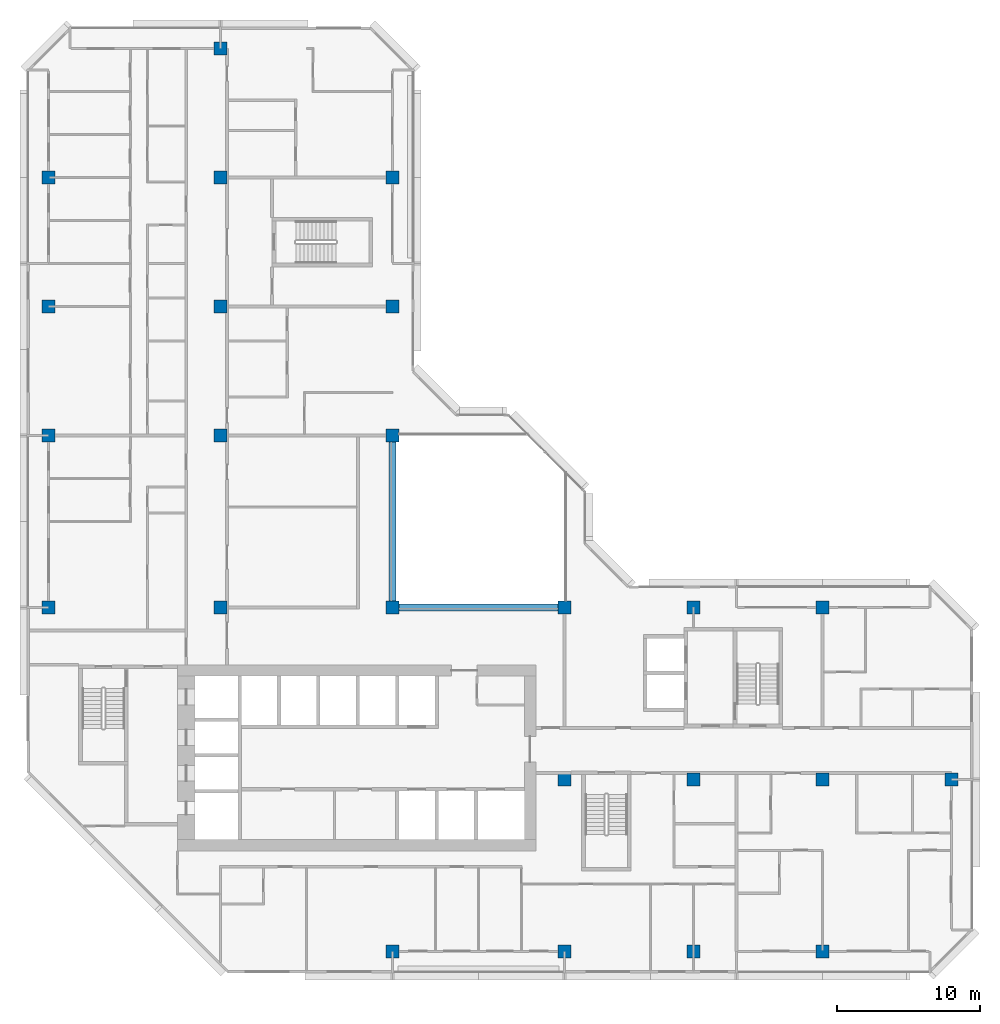
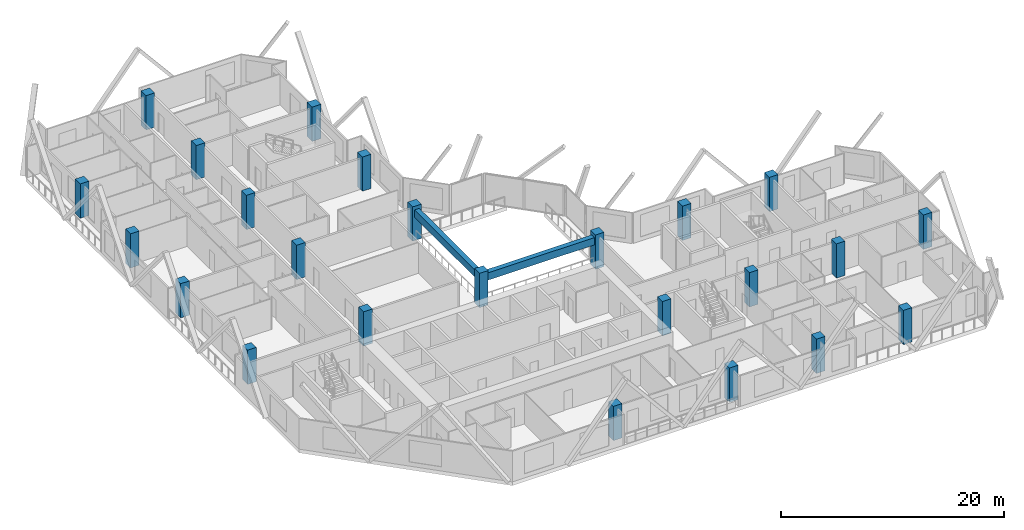
# One storey, part 1 of 15: 24 columns, 2 beams.
"""IFC4 building model written with IfcOpenShell, lengths in metres."""

import ifcopenshell
import ifcopenshell.guid

model = None  # the IFC model being written
_history = None  # IfcOwnerHistory: only IFC2X3 demands one
_inside = {}  # id of a spatial element -> (the spatial element, [elements in it])
_under = {}  # id of a project, library or spatial element -> (it, [spatial elements below it])
_declared = {}  # id of a project -> (the project, [libraries it declares])
_typed = {}  # id of a type object -> (the type object, [elements of that type])
_made_of = {}  # id of a material, layer set ... -> (it, [elements and type objects made of it])


def new_model(schema):
    """Start an empty IFC model of exactly this schema.

    Asked for "IFC4X3", IfcOpenShell would pick the latest addendum, in which some entities
    have other attributes; the version numbers below select the first issue.
    IFC2X3 requires an IfcOwnerHistory on every rooted entity: one is made here for all.
    """
    global model, _history
    if schema == "IFC4X3":
        model = ifcopenshell.file(schema_version=(4, 3, 0, 0))
    else:
        model = ifcopenshell.file(schema=schema)
    _inside.clear()
    _under.clear()
    _declared.clear()
    _typed.clear()
    _made_of.clear()
    _history = None
    if model.schema == "IFC2X3":
        org = make("IfcOrganization", Name="unknown")
        user = make(
            "IfcPersonAndOrganization",
            ThePerson=make("IfcPerson", FamilyName="unknown"),
            TheOrganization=org,
        )
        app = make(
            "IfcApplication",
            ApplicationDeveloper=org,
            Version="unknown",
            ApplicationFullName="unknown",
            ApplicationIdentifier="unknown",
        )
        _history = make(
            "IfcOwnerHistory",
            OwningUser=user,
            OwningApplication=app,
            ChangeAction="ADDED",
            CreationDate=0,
        )
    return model


def make(cls, **values):
    """One entity of the class cls with the attributes given. An attribute that is None is left unset."""
    return model.create_entity(
        cls, **{name: value for name, value in values.items() if value is not None}
    )


def rooted(cls, **values):
    """An entity with a GlobalId (a new one), such as an element, a storey or a relation."""
    return make(cls, GlobalId=ifcopenshell.guid.new(), OwnerHistory=_history, **values)


def si_unit(unit_type, name, prefix=None):
    """IfcSIUnit, for example si_unit("LENGTHUNIT", "METRE", prefix="MILLI")."""
    return make("IfcSIUnit", UnitType=unit_type, Prefix=prefix, Name=name)


def assignment(units):
    """IfcUnitAssignment: the units of a project."""
    return None if units is None else make("IfcUnitAssignment", Units=units)


def point(xyz):
    """IfcCartesianPoint."""
    return None if xyz is None else make("IfcCartesianPoint", Coordinates=xyz)


def direction(xyz):
    """IfcDirection."""
    return None if xyz is None else make("IfcDirection", DirectionRatios=xyz)


def frame(location, z_axis=None, x_axis=None):
    """IfcAxis2Placement3D, a coordinate frame: its origin and axes. An axis left out is left unset."""
    return make(
        "IfcAxis2Placement3D",
        Location=point(location),
        Axis=direction(z_axis),
        RefDirection=direction(x_axis),
    )


def frame_2d(location, x_axis=None):
    """IfcAxis2Placement2D, a coordinate frame in the plane: its origin and x axis."""
    return make(
        "IfcAxis2Placement2D", Location=point(location), RefDirection=direction(x_axis)
    )


def origin():
    """The frame at (0, 0, 0) with its axes left unset."""
    return frame((0.0, 0.0, 0.0))


def origin_2d():
    """The frame at (0, 0) in the plane with its x axis left unset."""
    return frame_2d((0.0, 0.0))


def place(relative_to, where):
    """IfcLocalPlacement: puts the frame where relative to a parent placement (None: the world)."""
    return make(
        "IfcLocalPlacement", PlacementRelTo=relative_to, RelativePlacement=where
    )


def context(
    kind, dimensions, precision=None, world=None, true_north=None, identifier=None
):
    """IfcGeometricRepresentationContext, for example the 3D "Model" context."""
    return make(
        "IfcGeometricRepresentationContext",
        ContextIdentifier=identifier,
        ContextType=kind,
        CoordinateSpaceDimension=dimensions,
        Precision=precision,
        WorldCoordinateSystem=world,
        TrueNorth=true_north,
    )


def subcontext(parent, identifier, kind, view, scale=None):
    """IfcGeometricRepresentationSubContext, for example "Body" below "Model"."""
    return make(
        "IfcGeometricRepresentationSubContext",
        ContextIdentifier=identifier,
        ContextType=kind,
        ParentContext=parent,
        TargetScale=scale,
        TargetView=view,
    )


def project(units=None, contexts=None):
    """IfcProject with its units and contexts."""
    return rooted(
        "IfcProject",
        Name="project",
        RepresentationContexts=contexts,
        UnitsInContext=assignment(units),
    )


def spatial(cls, under=None, at=None, **own):
    """A site, building, storey or space (cls), placed at a placement, below another one or the project."""
    s = rooted(cls, ObjectPlacement=at, **own)
    if under is not None:
        _under.setdefault(under.id(), (under, []))[1].append(s)
    return s


def profile(cls, at=None, kind="AREA", **sizes):
    """A parametric profile (cls). Its sizes go by their IFC names, for example OverallWidth=200.0."""
    return make(cls, ProfileType=kind, Position=at, **sizes)


def rectangle(**sizes):
    """IfcRectangleProfileDef."""
    return profile("IfcRectangleProfileDef", **sizes)


def extrude(swept, where, along, depth):
    """IfcExtrudedAreaSolid: the profile swept, set in the frame where, extruded along a direction by depth."""
    return make(
        "IfcExtrudedAreaSolid",
        SweptArea=swept,
        Position=where,
        ExtrudedDirection=direction(along),
        Depth=depth,
    )


def shape(context_of_items, identifier, shape_type, items):
    """IfcShapeRepresentation: the items that make up one representation, for example the "Body"."""
    return make(
        "IfcShapeRepresentation",
        ContextOfItems=context_of_items,
        RepresentationIdentifier=identifier,
        RepresentationType=shape_type,
        Items=items,
    )


def material(Name=None, Category=None):
    """IfcMaterial."""
    return make("IfcMaterial", Name=Name, Category=Category)


def material_profile(
    of_material, cross_section, Name=None, Category=None, Priority=None
):
    """IfcMaterialProfile: a cross section and its material."""
    return make(
        "IfcMaterialProfile",
        Name=Name,
        Material=of_material,
        Profile=cross_section,
        Priority=Priority,
        Category=Category,
    )


def profile_set(profiles, Name=None, composite=None):
    """IfcMaterialProfileSet."""
    return make(
        "IfcMaterialProfileSet",
        Name=Name,
        MaterialProfiles=profiles,
        CompositeProfile=composite,
    )


def made_of(thing, what):
    """Note that an element or type object is made of a material, layer set ...; save() writes the relation."""
    if what is not None:
        _made_of.setdefault(what.id(), (what, []))[1].append(thing)
    return thing


def type_object(cls, material=None, **own):
    """A type object (cls), such as IfcWallType, which elements share."""
    return made_of(rooted(cls, **own), material)


def element(
    cls,
    number,
    at=None,
    inside=None,
    cuts=None,
    type_object=None,
    material=None,
    context=None,
    identifier="Body",
    shape_type=None,
    held_by="IfcProductDefinitionShape",
    body=None,
    shapes=None,
    **own,
):
    """One element of the class cls, such as IfcWall. Its Tag is "e" and its number.

    at: its placement. inside: the storey or other place that contains it. cuts: it is an
    opening in that element (IfcRelVoidsElement). A single representation is given by context,
    identifier, shape_type and body (its items); several are given by shapes. held_by: the class
    of the entity that holds the representations. save() writes the other relations.
    """
    e = rooted(cls, Tag="e%d" % number, ObjectPlacement=at, **own)
    if body is not None:
        shapes = [shape(context, identifier, shape_type, body)]
    if shapes is not None:
        e.Representation = make(held_by, Representations=shapes)
    if inside is not None:
        _inside.setdefault(inside.id(), (inside, []))[1].append(e)
    if cuts is not None:
        rooted(
            "IfcRelVoidsElement", RelatingBuildingElement=cuts, RelatedOpeningElement=e
        )
    if type_object is not None:
        _typed.setdefault(type_object.id(), (type_object, []))[1].append(e)
    return made_of(e, material)


def aggregate(whole, parts):
    """IfcRelAggregates: a whole, such as a stair, and the parts it consists of."""
    return rooted("IfcRelAggregates", RelatingObject=whole, RelatedObjects=parts)


def save(model, path):
    """Write the relations noted so far, then the file.

    IfcRelAggregates (storeys below a building ...), IfcRelContainedInSpatialStructure (elements
    in a storey), IfcRelDefinesByType, IfcRelAssociatesMaterial and IfcRelDeclares: one each for
    every whole, place, type object, material and project.
    """
    for whole, parts in _under.values():
        aggregate(whole, parts)
    for where, things in _inside.values():
        rooted(
            "IfcRelContainedInSpatialStructure",
            RelatedElements=things,
            RelatingStructure=where,
        )
    for kind, things in _typed.values():
        rooted("IfcRelDefinesByType", RelatedObjects=things, RelatingType=kind)
    for what, things in _made_of.values():
        rooted("IfcRelAssociatesMaterial", RelatedObjects=things, RelatingMaterial=what)
    for by, libraries in _declared.values():
        rooted("IfcRelDeclares", RelatingContext=by, RelatedDefinitions=libraries)
    model.write(path)


model = new_model("IFC4")

# Units and contexts
model_context = context("Model", 3, precision=1e-05, world=origin(), true_north=direction((0.0, 1.0)))
body_context = subcontext(model_context, "Body", "Model", "MODEL_VIEW")
ifc_project = project(units=[si_unit("LENGTHUNIT", "METRE"), si_unit("AREAUNIT", "SQUARE_METRE"), si_unit("VOLUMEUNIT", "CUBIC_METRE"), si_unit("PLANEANGLEUNIT", "RADIAN"), si_unit("MASSUNIT", "GRAM", prefix="KILO")], contexts=[model_context])

# Site, building, storey
site_placement = place(None, origin())
site = spatial("IfcSite", under=ifc_project, at=site_placement, CompositionType="ELEMENT")
building_placement = place(site_placement, origin())
building = spatial("IfcBuilding", under=site, at=building_placement, Name="Chenar Terraces", CompositionType="ELEMENT")
storey_placement = place(building_placement, frame((0.0, 0.0, 187.39990234375)))
storey = spatial("IfcBuildingStorey", under=building, at=storey_placement, Name="L43", CompositionType="ELEMENT", Elevation=187.39990234375)

# Columns
ifc_material_1 = material(Name="Concrete C60/75", Category="concrete")
ifc_material_profile_1 = material_profile(ifc_material_1, rectangle(XDim=0.89990234375, YDim=0.89990234375, at=origin_2d()), Name="C 900 x 900")
ifc_profile_set_1 = profile_set([ifc_material_profile_1], Name="Concrete C60/75")
column_type = type_object("IfcColumnType", Name="Column C 900 x 900 Concrete C60/75", PredefinedType="COLUMN", material=ifc_profile_set_1)
column_1_placement = place(storey_placement, frame((0.0, 24.0, 0.0), z_axis=(0.0, 0.0, 1.0), x_axis=(1.0, 0.0, 0.0)))
element("IfcColumn", 1, at=column_1_placement, inside=storey, type_object=column_type, Name="Column 5/G L43", PredefinedType="COLUMN", context=body_context, shape_type="SweptSolid", body=[
    extrude(rectangle(XDim=0.89990234375, YDim=0.89990234375, at=origin_2d()), origin(), (0.0, 0.0, 1.0), 3.75),
])
column_2_placement = place(storey_placement, frame((0.0, 36.0, 0.0), z_axis=(0.0, 0.0, 1.0), x_axis=(1.0, 0.0, 0.0)))
element("IfcColumn", 2, at=column_2_placement, inside=storey, type_object=column_type, Name="Column 5/H L43", PredefinedType="COLUMN", context=body_context, shape_type="SweptSolid", body=[
    extrude(rectangle(XDim=0.89990234375, YDim=0.89990234375, at=origin_2d()), origin(), (0.0, 0.0, 1.0), 3.75),
])
column_3_placement = place(storey_placement, frame((0.0, 45.0, 0.0), z_axis=(0.0, 0.0, 1.0), x_axis=(1.0, 0.0, 0.0)))
element("IfcColumn", 3, at=column_3_placement, inside=storey, type_object=column_type, Name="Column 5/J L43", PredefinedType="COLUMN", context=body_context, shape_type="SweptSolid", body=[
    extrude(rectangle(XDim=0.89990234375, YDim=0.89990234375, at=origin_2d()), origin(), (0.0, 0.0, 1.0), 3.75),
])
for number, where, z_axis, x_axis, name in (
    (4, (0.0, 54.0, 0.0), (0.0, 0.0, 1.0), (1.0, 0.0, 0.0), "Column 5/K L43"),
    (5, (12.0, 24.0, 0.0), (0.0, 0.0, 1.0), (1.0, 0.0, 0.0), "Column 6/G L43"),
    (6, (12.0, 36.0, 0.0), (0.0, 0.0, 1.0), (1.0, 0.0, 0.0), "Column 6/H L43"),
    (7, (12.0, 45.0, 0.0), (0.0, 0.0, 1.0), (1.0, 0.0, 0.0), "Column 6/J L43"),
    (8, (12.0, 54.0, 0.0), (0.0, 0.0, 1.0), (1.0, 0.0, 0.0), "Column 6/K L43"),
    (9, (12.0, 63.0, 0.0), (0.0, 0.0, 1.0), (1.0, 0.0, 0.0), "Column 6/L L43"),
    (10, (24.0, 0.0, 0.0), (0.0, 0.0, 1.0), (1.0, 0.0, 0.0), "Column 7/E L43"),
    (11, (24.0, 24.0, 0.0), (0.0, 0.0, 1.0), (1.0, 0.0, 0.0), "Column 7/G L43"),
    (12, (24.0, 36.0, 0.0), (0.0, 0.0, 1.0), (1.0, 0.0, 0.0), "Column 7/H L43"),
    (13, (24.0, 45.0, 0.0), (0.0, 0.0, 1.0), (1.0, 0.0, 0.0), "Column 7/J L43"),
    (14, (24.0, 54.0, 0.0), (0.0, 0.0, 1.0), (1.0, 0.0, 0.0), "Column 7/K L43"),
    (15, (36.0, 0.0, 0.0), (0.0, 0.0, 1.0), (1.0, 0.0, 0.0), "Column 8/E L43"),
    (16, (36.0, 12.0, 0.0), (0.0, 0.0, 1.0), (1.0, 0.0, 0.0), "Column 8/F L43"),
    (17, (36.0, 24.0, 0.0), (0.0, 0.0, 1.0), (1.0, 0.0, 0.0), "Column 8/G L43"),
    (18, (45.0, 0.0, 0.0), (0.0, 0.0, 1.0), (1.0, 0.0, 0.0), "Column 9/E L43"),
    (19, (45.0, 12.0, 0.0), (0.0, 0.0, 1.0), (1.0, 0.0, 0.0), "Column 9/F L43"),
    (20, (45.0, 24.0, 0.0), (0.0, 0.0, 1.0), (1.0, 0.0, 0.0), "Column 9/G L43"),
    (21, (54.0, 0.0, 0.0), (0.0, 0.0, 1.0), (1.0, 0.0, 0.0), "Column 10/E L43"),
    (22, (54.0, 12.0, 0.0), (0.0, 0.0, 1.0), (1.0, 0.0, 0.0), "Column 10/F L43"),
    (23, (54.0, 24.0, 0.0), (0.0, 0.0, 1.0), (1.0, 0.0, 0.0), "Column 10/G L43"),
    (24, (63.0, 12.0, 0.0), (0.0, 0.0, 1.0), (1.0, 0.0, 0.0), "Column 11/F L43"),
):
    element("IfcColumn", number, at=place(storey_placement, frame(where, z_axis=z_axis, x_axis=x_axis)), inside=storey, type_object=column_type, Name=name, PredefinedType="COLUMN", context=body_context, shape_type="SweptSolid", body=[
        extrude(rectangle(XDim=0.89990234375, YDim=0.89990234375, at=origin_2d()), origin(), (0.0, 0.0, 1.0), 3.75),
    ])

# Beams
ifc_material_2 = material(Name="Concrete C40/50", Category="concrete")
ifc_material_profile_2 = material_profile(ifc_material_2, rectangle(XDim=0.5, YDim=0.800048828125, at=origin_2d()), Name="RC 500 x 800")
ifc_profile_set_2 = profile_set([ifc_material_profile_2], Name="Concrete C40/50")
beam_type = type_object("IfcBeamType", Name="Atrium edge beam 500 x 800 Concrete C40/50", PredefinedType="BEAM", material=ifc_profile_set_2)
for number, where, z_axis, x_axis, name in (
    (25, (24.449951171875, 24.0, 2.9501953125), (1.0, 0.0, 0.0), (0.0, 1.0, 0.0), "Atrium edge beam L44 1"),
    (26, (24.0, 35.550048828125, 2.9501953125), (0.0, -1.0, 0.0), (1.0, 0.0, 0.0), "Atrium edge beam L44 4"),
):
    element("IfcBeam", number, at=place(storey_placement, frame(where, z_axis=z_axis, x_axis=x_axis)), inside=storey, type_object=beam_type, Name=name, PredefinedType="BEAM", context=body_context, shape_type="SweptSolid", body=[
        extrude(rectangle(XDim=0.5, YDim=0.800048828125, at=origin_2d()), origin(), (0.0, 0.0, 1.0), 11.10009765625),
    ])

save(model, "model.ifc")
